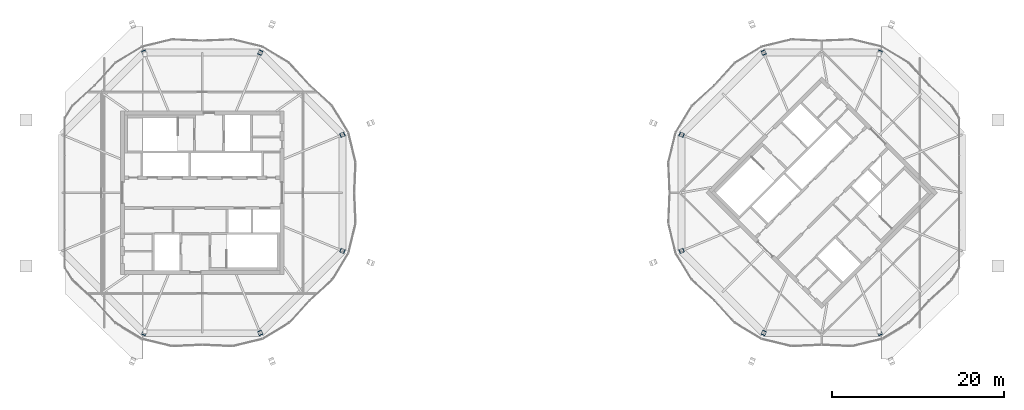
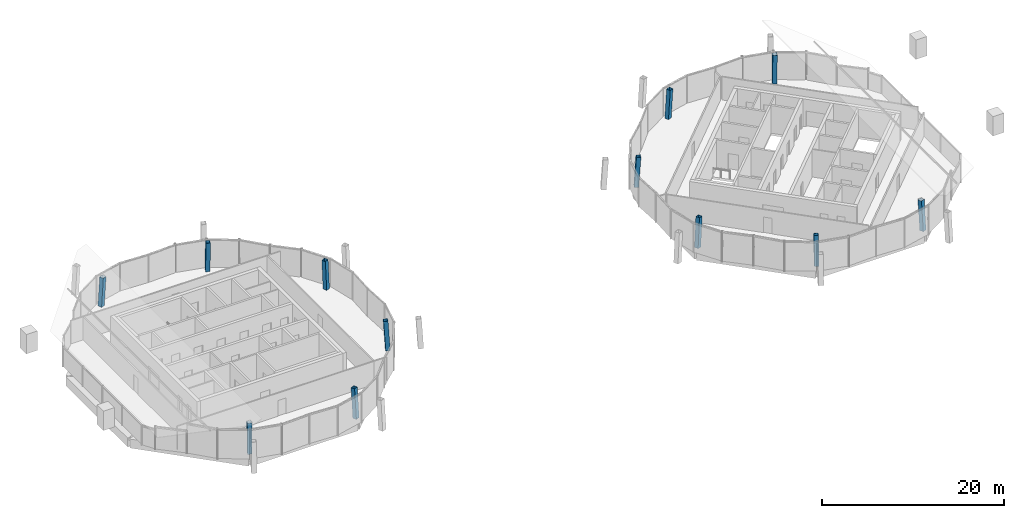
# One storey, part 1 of 23: 12 columns.
"""IFC4 building model written with IfcOpenShell, lengths in metres."""

from ifc_helpers import new_model, si_unit, direction, frame, origin, origin_2d, place, context, subcontext, project, spatial, hollow_rectangle, extrude, material, material_profile, profile_set, type_object, element, save


model = new_model("IFC4")

# Units and contexts
model_context = context("Model", 3, precision=1e-05, world=origin(), true_north=direction((0.0, 1.0)))
body_context = subcontext(model_context, "Body", "Model", "MODEL_VIEW")
ifc_project = project(units=[si_unit("LENGTHUNIT", "METRE"), si_unit("AREAUNIT", "SQUARE_METRE"), si_unit("VOLUMEUNIT", "CUBIC_METRE"), si_unit("PLANEANGLEUNIT", "RADIAN"), si_unit("MASSUNIT", "GRAM", prefix="KILO")], contexts=[model_context])

# Site, building, storey
site_placement = place(None, origin())
site = spatial("IfcSite", under=ifc_project, at=site_placement, CompositionType="ELEMENT")
building_placement = place(site_placement, origin())
building = spatial("IfcBuilding", under=site, at=building_placement, Name="Ogive Gate Towers", CompositionType="ELEMENT")
storey_placement = place(building_placement, frame((0.0, 0.0, 302.0)))
storey = spatial("IfcBuildingStorey", under=building, at=storey_placement, Name="L71", CompositionType="ELEMENT", Elevation=302.0)

# Columns
ifc_material = material(Name="Steel SM460", Category="steel")
ifc_material_profile = material_profile(ifc_material, hollow_rectangle(XDim=0.5, YDim=0.5, WallThickness=0.030029296875, at=origin_2d()), Name="BX 500x500x30")
ifc_profile_set = profile_set([ifc_material_profile], Name="Steel SM460")
column_type = type_object("IfcColumnType", Name="Perimeter post BX 500x500x30", PredefinedType="COLUMN", material=ifc_profile_set)
for number, where, z_axis, x_axis, name in (
    (1, (-19.6796875, 6.760009765625, 0.0), (-0.056473784619, -0.023393671298, 0.998129975401), (0.382703871955, -0.923871065891, 0.0), "T1/L71/SCL001"),
    (2, (-29.239990234375, 16.3203125, 0.0), (-0.023393671298, -0.056473784619, 0.998129975401), (0.923871065891, -0.382703871955, 0.0), "T1/L71/SCL002"),
    (3, (-42.760009765625, 16.3203125, 0.0), (0.023393671298, -0.056473784619, 0.998129975401), (0.923871065891, 0.382703871955, 0.0), "T1/L71/SCL003"),
    (4, (-42.760009765625, -16.3203125, 0.0), (0.023393671298, 0.056473784619, 0.998129975401), (-0.923871065891, 0.382703871955, 0.0), "T1/L71/SCL004"),
    (5, (-29.239990234375, -16.3203125, 0.0), (-0.023393671298, 0.056473784619, 0.998129975401), (-0.923871065891, -0.382703871955, 0.0), "T1/L71/SCL005"),
    (6, (-19.6796875, -6.760009765625, 0.0), (-0.056473784619, 0.023393671298, 0.998129975401), (-0.382703871955, -0.923871065891, 0.0), "T1/L71/SCL006"),
    (7, (42.760009765625, 16.3203125, 0.0), (-0.023393671298, -0.056473784619, 0.998129975401), (0.923871065891, -0.382703871955, 0.0), "T2/L71/SCL001"),
    (8, (29.239990234375, 16.3203125, 0.0), (0.023393671298, -0.056473784619, 0.998129975401), (0.923871065891, 0.382703871955, 0.0), "T2/L71/SCL002"),
    (9, (19.6796875, 6.760009765625, 0.0), (0.056473784619, -0.023393671298, 0.998129975401), (0.382703871955, 0.923871065891, 0.0), "T2/L71/SCL003"),
    (10, (19.6796875, -6.760009765625, 0.0), (0.056473784619, 0.023393671298, 0.998129975401), (-0.382703871955, 0.923871065891, 0.0), "T2/L71/SCL004"),
    (11, (29.239990234375, -16.3203125, 0.0), (0.023393671298, 0.056473784619, 0.998129975401), (-0.923871065891, 0.382703871955, 0.0), "T2/L71/SCL005"),
    (12, (42.760009765625, -16.3203125, 0.0), (-0.023393671298, 0.056473784619, 0.998129975401), (-0.923871065891, -0.382703871955, 0.0), "T2/L71/SCL006"),
):
    element("IfcColumn", number, at=place(storey_placement, frame(where, z_axis=z_axis, x_axis=x_axis)), inside=storey, type_object=column_type, Name=name, PredefinedType="COLUMN", context=body_context, shape_type="SweptSolid", body=[
        extrude(hollow_rectangle(XDim=0.5, YDim=0.5, WallThickness=0.030029296875, at=origin_2d()), origin(), (0.0, 0.0, 1.0), 4.007568359375),
    ])

save(model, "model.ifc")
